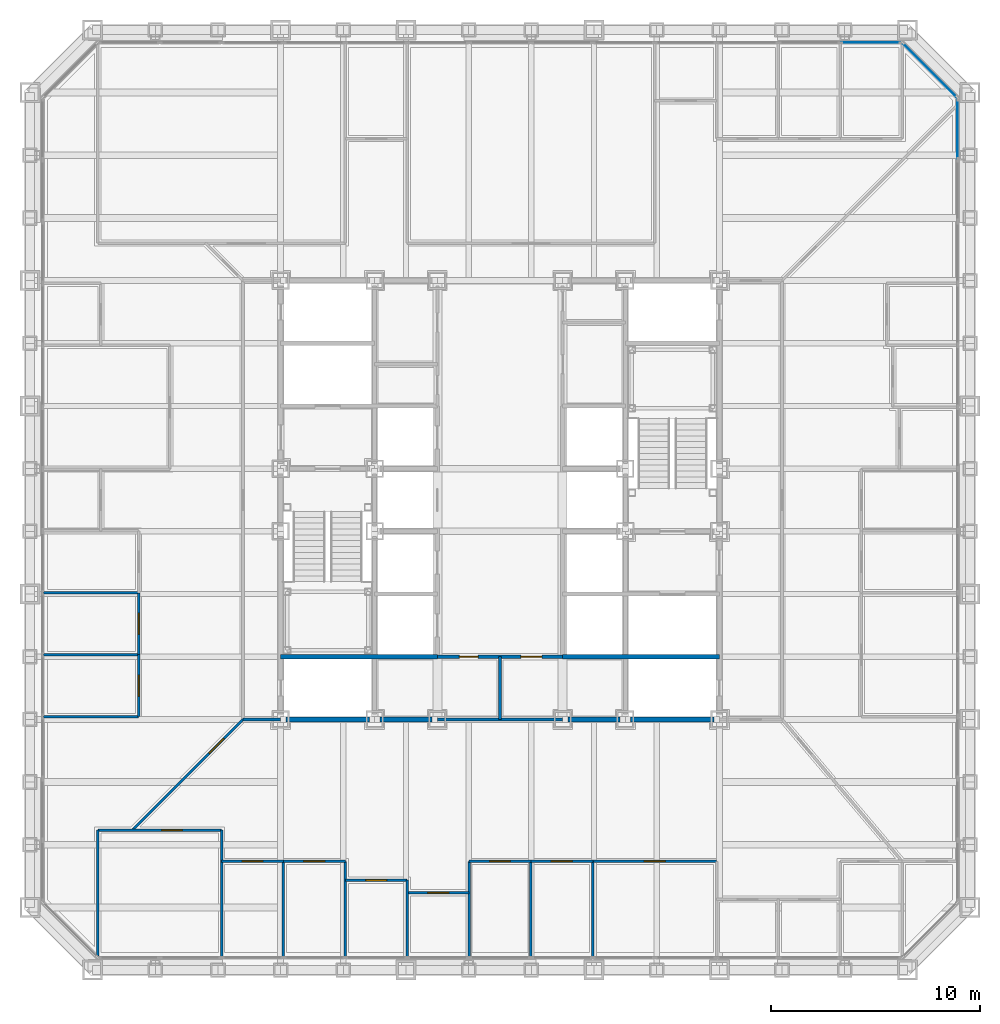
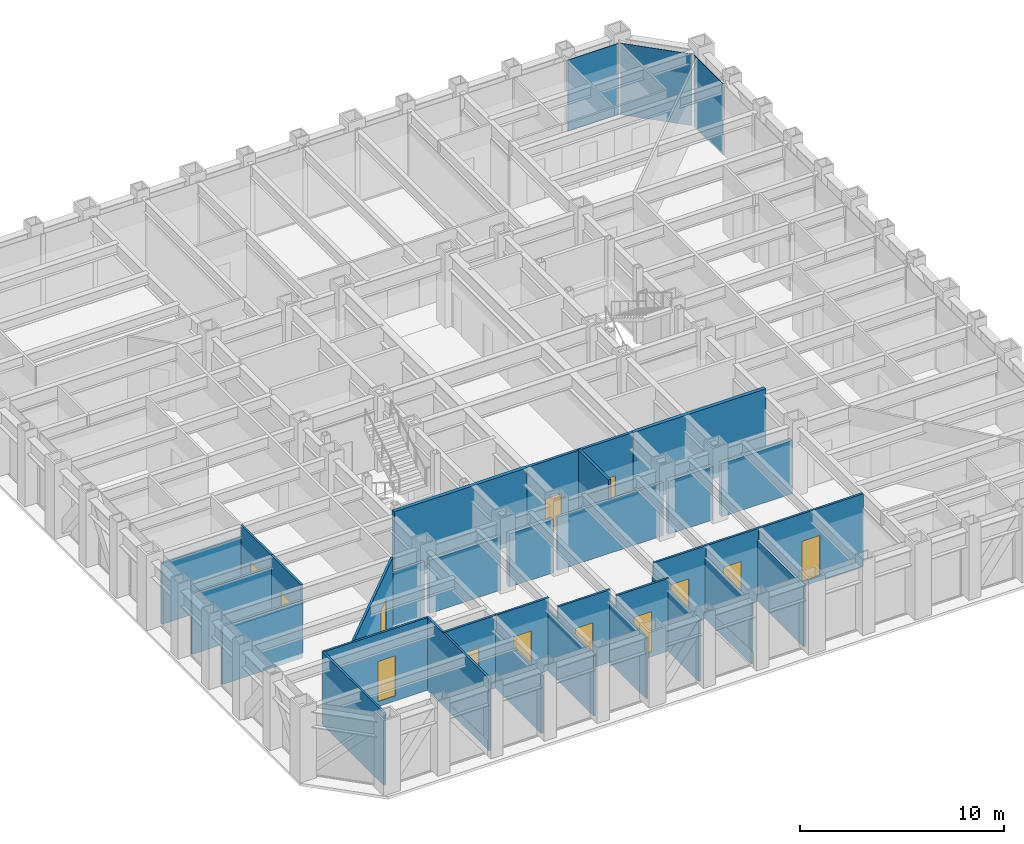
# One storey, part 8 of 16: 32 walls, 13 doors, 3 plates, 13 openings, 3 elements without a shape of their own.
"""IFC4 building model written with IfcOpenShell, lengths in metres."""

from ifc_helpers import new_model, si_unit, direction, frame, frame_2d, origin, origin_2d, place, context, subcontext, project, spatial, rectangle, extrude, material, layer, layer_set, type_object, element, fill, aggregate, save


model = new_model("IFC4")

# Units and contexts
model_context = context("Model", 3, precision=1e-05, world=origin(), true_north=direction((0.0, 1.0)))
body_context = subcontext(model_context, "Body", "Model", "MODEL_VIEW")
ifc_project = project(units=[si_unit("LENGTHUNIT", "METRE"), si_unit("AREAUNIT", "SQUARE_METRE"), si_unit("VOLUMEUNIT", "CUBIC_METRE"), si_unit("PLANEANGLEUNIT", "RADIAN"), si_unit("MASSUNIT", "GRAM", prefix="KILO")], contexts=[model_context])

# Site, building, storey
site_placement = place(None, origin())
site = spatial("IfcSite", under=ifc_project, at=site_placement, CompositionType="ELEMENT")
building_placement = place(site_placement, origin())
building = spatial("IfcBuilding", under=site, at=building_placement, Name="Chuquiago Exchange Tower", CompositionType="ELEMENT")
storey_placement = place(building_placement, frame((0.0, 0.0, 28.800048828125)))
storey = spatial("IfcBuildingStorey", under=building, at=storey_placement, Name="L05", CompositionType="ELEMENT", Elevation=28.800048828125)

# Curtain wall, plate
ifc_material_1 = material(Name="Aluminium curtain wall system", Category="aluminium")
ifc_layer_1 = layer(ifc_material_1, 0.25)
ifc_layer_set_1 = layer_set([ifc_layer_1], Name="CW1 trading floor curtain wall")
curtain_wall_type_1 = type_object("IfcCurtainWallType", Name="CW1 trading floor curtain wall", PredefinedType="NOTDEFINED", material=ifc_layer_set_1)
curtain_wall_1_placement = place(storey_placement, origin())
curtain_wall_1 = element("IfcCurtainWall", 1, at=curtain_wall_1_placement, inside=storey, type_object=curtain_wall_type_1, Name="CW1 curtain wall L05", PredefinedType="NOTDEFINED")
ifc_material_2 = material(Name="Insulated spandrel panel, pale anodised aluminium", Category="aluminium")
ifc_layer_2 = layer(ifc_material_2, 0.031982421875)
ifc_layer_set_2 = layer_set([ifc_layer_2], Name="CW1-P spandrel panel 32")
plate_type_1 = type_object("IfcPlateType", Name="CW1-P spandrel panel 32", PredefinedType="CURTAIN_PANEL", material=ifc_layer_set_2)
plate_1_placement = place(storey_placement, frame((44.39990234375, 40.251953125, -0.22509765625), z_axis=(0.0, 0.0, 1.0), x_axis=(0.0, 1.0, 0.0)))
plate_1 = element("IfcPlate", 2, at=plate_1_placement, type_object=plate_type_1, Name="CW1 panel 13.1", PredefinedType="CURTAIN_PANEL", context=body_context, shape_type="SweptSolid", body=[
    extrude(rectangle(XDim=2.849365234375, YDim=0.031982421875, at=origin_2d()), origin(), (0.0, 0.0, 1.0), 4.264892578125),
])
aggregate(curtain_wall_1, [plate_1])

curtain_wall_2_placement = place(storey_placement, origin())
curtain_wall_2 = element("IfcCurtainWall", 3, at=curtain_wall_2_placement, inside=storey, type_object=curtain_wall_type_1, Name="CW1 curtain wall L05", PredefinedType="NOTDEFINED")
plate_2_placement = place(storey_placement, frame((40.251953125, 44.39990234375, -0.22509765625), z_axis=(0.0, 0.0, 1.0), x_axis=(-1.0, 0.0, 0.0)))
plate_2 = element("IfcPlate", 4, at=plate_2_placement, type_object=plate_type_1, Name="CW1 panel 1.1", PredefinedType="CURTAIN_PANEL", context=body_context, shape_type="SweptSolid", body=[
    extrude(rectangle(XDim=2.849365234375, YDim=0.031982421875, at=origin_2d()), origin(), (0.0, 0.0, 1.0), 4.264892578125),
])
aggregate(curtain_wall_2, [plate_2])

ifc_material_3 = material(Name="Aluminium curtain wall system", Category="aluminium")
ifc_layer_3 = layer(ifc_material_3, 0.199951171875)
ifc_layer_set_3 = layer_set([ifc_layer_3], Name="CW3 facet curtain wall")
curtain_wall_type_2 = type_object("IfcCurtainWallType", Name="CW3 facet curtain wall", PredefinedType="NOTDEFINED", material=ifc_layer_set_3)
curtain_wall_3_placement = place(storey_placement, origin())
curtain_wall_3 = element("IfcCurtainWall", 5, at=curtain_wall_3_placement, inside=storey, type_object=curtain_wall_type_2, Name="CW3 curtain wall L05", PredefinedType="NOTDEFINED")
ifc_material_4 = material(Name="Insulated spandrel panel, pale anodised aluminium", Category="aluminium")
ifc_layer_4 = layer(ifc_material_4, 0.030029296875)
ifc_layer_set_4 = layer_set([ifc_layer_4], Name="CW3-P spandrel panel 30")
plate_type_2 = type_object("IfcPlateType", Name="CW3-P spandrel panel 30", PredefinedType="CURTAIN_PANEL", material=ifc_layer_set_4)
plate_3_placement = place(storey_placement, frame((43.07568359375, 43.07568359375, -0.235107421875), z_axis=(0.0, 0.0, 1.0), x_axis=(-0.707106781187, 0.707106781187, 0.0)))
plate_3 = element("IfcPlate", 6, at=plate_3_placement, type_object=plate_type_2, Name="CW3 panel 1.1", PredefinedType="CURTAIN_PANEL", context=body_context, shape_type="SweptSolid", body=[
    extrude(rectangle(XDim=3.615478515625, YDim=0.030029296875, at=origin_2d()), origin(), (0.0, 0.0, 1.0), 4.27490234375),
])
aggregate(curtain_wall_3, [plate_3])

# Walls
ifc_material_5 = material(Name="Concrete masonry, fully grouted", Category="masonry")
ifc_layer_5 = layer(ifc_material_5, 0.25)
ifc_layer_set_5 = layer_set([ifc_layer_5], Name="W1 core wall 250")
wall_type_1 = type_object("IfcWallType", Name="W1 core wall 250", PredefinedType="SOLIDWALL", material=ifc_layer_set_5)
wall_1_placement = place(storey_placement, frame((12.25, 12.0, 0.0), z_axis=(0.0, 0.0, 1.0), x_axis=(1.0, 0.0, 0.0)))
element("IfcWall", 7, at=wall_1_placement, inside=storey, type_object=wall_type_1, Name="CW-L05-01-0", PredefinedType="SOLIDWALL", context=body_context, shape_type="SweptSolid", body=[
    extrude(rectangle(XDim=4.0, YDim=0.25, at=frame_2d((2.0, 0.0))), origin(), (0.0, 0.0, 1.0), 3.181396484375),
])
for number, where, z_axis, x_axis, name in (
    (8, (16.75, 12.0, 0.0), (0.0, 0.0, 1.0), (1.0, 0.0, 0.0), "CW-L05-01-1"),
    (9, (25.75, 12.0, 0.0), (0.0, 0.0, 1.0), (1.0, 0.0, 0.0), "CW-L05-02-0"),
):
    element("IfcWall", number, at=place(storey_placement, frame(where, z_axis=z_axis, x_axis=x_axis)), inside=storey, type_object=wall_type_1, Name=name, PredefinedType="SOLIDWALL", context=body_context, shape_type="SweptSolid", body=[
        extrude(rectangle(XDim=2.5, YDim=0.25, at=frame_2d((1.25, 0.0))), origin(), (0.0, 0.0, 1.0), 3.181396484375),
    ])
wall_2_placement = place(storey_placement, frame((28.75, 12.0, 0.0), z_axis=(0.0, 0.0, 1.0), x_axis=(1.0, 0.0, 0.0)))
element("IfcWall", 10, at=wall_2_placement, inside=storey, type_object=wall_type_1, Name="CW-L05-02-1", PredefinedType="SOLIDWALL", context=body_context, shape_type="SweptSolid", body=[
    extrude(rectangle(XDim=4.0, YDim=0.25, at=frame_2d((2.0, 0.0))), origin(), (0.0, 0.0, 1.0), 3.181396484375),
])
ifc_material_6 = material(Name="Gypsum board on steel studs, acoustic insulation", Category="steel")
ifc_layer_6 = layer(ifc_material_6, 0.14990234375)
ifc_layer_set_6 = layer_set([ifc_layer_6], Name="W11 corridor wall 150")
wall_type_2 = type_object("IfcWallType", Name="W11 corridor wall 150", PredefinedType="PARTITIONING", material=ifc_layer_set_6)
wall_3_placement = place(storey_placement, frame((10.199951171875, 12.0, -0.300048828125), z_axis=(0.0, 0.0, 1.0), x_axis=(1.0, 0.0, 0.0)))
element("IfcWall", 11, at=wall_3_placement, inside=storey, type_object=wall_type_2, Name="PW-L05-GWS0", PredefinedType="PARTITIONING", context=body_context, shape_type="SweptSolid", body=[
    extrude(rectangle(XDim=1.800048828125, YDim=0.14990234375, at=frame_2d((0.89990234375, 0.0))), origin(), (0.0, 0.0, 1.0), 3.4814453125),
])
ifc_material_7 = material(Name="Concrete masonry, fully grouted", Category="masonry")
ifc_layer_7 = layer(ifc_material_7, 0.199951171875)
ifc_layer_set_7 = layer_set([ifc_layer_7], Name="W2 shaft wall 200")
wall_type_3 = type_object("IfcWallType", Name="W2 shaft wall 200", PredefinedType="SOLIDWALL", material=ifc_layer_set_7)
for number, where, z_axis, x_axis, name in (
    (12, (12.0, 15.0, 0.0), (0.0, 0.0, 1.0), (1.0, 0.0, 0.0), "CW-L05-03-0"),
    (13, (25.5, 15.0, 0.0), (0.0, 0.0, 1.0), (1.0, 0.0, 0.0), "CW-L05-04-0"),
):
    element("IfcWall", number, at=place(storey_placement, frame(where, z_axis=z_axis, x_axis=x_axis)), inside=storey, type_object=wall_type_3, Name=name, PredefinedType="SOLIDWALL", context=body_context, shape_type="SweptSolid", body=[
        extrude(rectangle(XDim=7.5, YDim=0.199951171875, at=frame_2d((3.75, 0.0))), origin(), (0.0, 0.0, 1.0), 4.33984375),
    ])

# Wall, openings, doors
ifc_material_8 = material(Name="Gypsum board on steel studs", Category="steel")
ifc_layer_8 = layer(ifc_material_8, 0.14990234375)
ifc_layer_set_8 = layer_set([ifc_layer_8], Name="W3 core partition 150")
wall_type_4 = type_object("IfcWallType", Name="W3 core partition 150", PredefinedType="PARTITIONING", material=ifc_layer_set_8)
wall_4_placement = place(storey_placement, frame((19.5, 15.0, 0.0), z_axis=(0.0, 0.0, 1.0), x_axis=(1.0, 0.0, 0.0)))
wall_4 = element("IfcWall", 14, at=wall_4_placement, inside=storey, type_object=wall_type_4, Name="CW-L05-TF", PredefinedType="PARTITIONING", context=body_context, shape_type="SweptSolid", body=[
    extrude(rectangle(XDim=6.0, YDim=0.14990234375, at=frame_2d((3.0, 0.0))), origin(), (0.0, 0.0, 1.0), 4.33984375),
])
opening_1_placement = place(wall_4_placement, frame((4.0, 0.0, 0.0)))
opening_1 = element("IfcOpeningElement", 15, at=opening_1_placement, cuts=wall_4, Name="Opening L05-015", PredefinedType="OPENING", context=body_context, shape_type="SweptSolid", body=[
    extrude(rectangle(XDim=1.0, YDim=2.10009765625, at=frame_2d((0.5, 1.050048828125))), frame((0.0, 0.0849609375, 0.0), z_axis=(0.0, -1.0, 0.0), x_axis=(1.0, 0.0, 0.0)), (0.0, 0.0, 1.0), 0.169921875),
])
opening_2_placement = place(wall_4_placement, frame((1.050048828125, 0.0, 0.0)))
opening_2 = element("IfcOpeningElement", 16, at=opening_2_placement, cuts=wall_4, Name="Opening L05-016", PredefinedType="OPENING", context=body_context, shape_type="SweptSolid", body=[
    extrude(rectangle(XDim=0.89990234375, YDim=2.10009765625, at=frame_2d((0.449951171875, 1.050048828125))), frame((0.0, 0.0849609375, 0.0), z_axis=(0.0, -1.0, 0.0), x_axis=(1.0, 0.0, 0.0)), (0.0, 0.0, 1.0), 0.169921875),
])
ifc_material_9 = material(Name="Timber door, laminate faced", Category="wood")
door_type_1 = type_object("IfcDoorType", Name="D7 toilet door 900x2100", OperationType="SINGLE_SWING_LEFT", PredefinedType="DOOR", material=ifc_material_9)
door_1_placement = place(opening_2_placement, origin())
door_1 = element("IfcDoor", 17, at=door_1_placement, inside=storey, type_object=door_type_1, Name="Cleaner door", OperationType="SINGLE_SWING_LEFT", OverallHeight=2.10009765625, OverallWidth=0.89990234375, PredefinedType="DOOR", context=body_context, shape_type="SweptSolid", body=[
    extrude(rectangle(XDim=0.89990234375, YDim=2.10009765625, at=frame_2d((0.449951171875, 1.050048828125))), frame((0.0, 0.02490234375, 0.0), z_axis=(0.0, -1.0, 0.0), x_axis=(1.0, 0.0, 0.0)), (0.0, 0.0, 1.0), 0.050048828125),
])
fill(opening_2, door_1)
ifc_material_10 = material(Name="Timber door, laminate faced", Category="wood")
door_type_2 = type_object("IfcDoorType", Name="D8 accessible toilet door 1000x2100", OperationType="SLIDING_TO_LEFT", PredefinedType="DOOR", material=ifc_material_10)
door_2_placement = place(opening_1_placement, origin())
door_2 = element("IfcDoor", 18, at=door_2_placement, inside=storey, type_object=door_type_2, Name="Accessible WC door", OperationType="SLIDING_TO_LEFT", OverallHeight=2.10009765625, OverallWidth=1.0, PredefinedType="DOOR", context=body_context, shape_type="SweptSolid", body=[
    extrude(rectangle(XDim=1.0, YDim=2.10009765625, at=frame_2d((0.5, 1.050048828125))), frame((0.0, 0.02490234375, 0.0), z_axis=(0.0, -1.0, 0.0), x_axis=(1.0, 0.0, 0.0)), (0.0, 0.0, 1.0), 0.050048828125),
])
fill(opening_1, door_2)

# Walls
wall_5_placement = place(storey_placement, frame((22.5, 15.0, 0.0), z_axis=(0.0, 0.0, 1.0), x_axis=(0.0, -1.0, 0.0)))
element("IfcWall", 19, at=wall_5_placement, inside=storey, type_object=wall_type_4, Name="CW-L05-TM", PredefinedType="PARTITIONING", context=body_context, shape_type="SweptSolid", body=[
    extrude(rectangle(XDim=3.0, YDim=0.14990234375, at=frame_2d((1.5, 0.0))), origin(), (0.0, 0.0, 1.0), 4.33984375),
])
wall_6_placement = place(storey_placement, frame((19.5, 12.0, 0.0), z_axis=(0.0, 0.0, 1.0), x_axis=(1.0, 0.0, 0.0)))
element("IfcWall", 20, at=wall_6_placement, inside=storey, type_object=wall_type_4, Name="CW-L05-TB", PredefinedType="PARTITIONING", context=body_context, shape_type="SweptSolid", body=[
    extrude(rectangle(XDim=6.0, YDim=0.14990234375, at=frame_2d((3.0, 0.0))), origin(), (0.0, 0.0, 1.0), 3.181396484375),
])
ifc_material_11 = material(Name="Gypsum board on steel studs", Category="steel")
ifc_layer_9 = layer(ifc_material_11, 0.1201171875)
ifc_layer_set_9 = layer_set([ifc_layer_9], Name="W4 partition 120")
wall_type_5 = type_object("IfcWallType", Name="W4 partition 120", PredefinedType="PARTITIONING", material=ifc_layer_set_9)
wall_7_placement = place(storey_placement, frame((3.24853515625, 0.666015625, -0.300048828125), z_axis=(0.0, 0.0, 1.0), x_axis=(0.0, 1.0, 0.0)))
element("IfcWall", 21, at=wall_7_placement, inside=storey, type_object=wall_type_5, Name="PW-L05-S00325", PredefinedType="PARTITIONING", context=body_context, shape_type="SweptSolid", body=[
    extrude(rectangle(XDim=6.033935546875, YDim=0.1201171875, at=frame_2d((3.01708984375, 0.0))), origin(), (0.0, 0.0, 1.0), 4.340087890625),
])
wall_8_placement = place(storey_placement, frame((9.172119140625, 0.657470703125, -0.300048828125), z_axis=(0.0, 0.0, 1.0), x_axis=(0.0, 1.0, 0.0)))
element("IfcWall", 22, at=wall_8_placement, inside=storey, type_object=wall_type_5, Name="PW-L05-S00917", PredefinedType="PARTITIONING", context=body_context, shape_type="SweptSolid", body=[
    extrude(rectangle(XDim=6.04248046875, YDim=0.1201171875, at=frame_2d((3.021240234375, 0.0))), origin(), (0.0, 0.0, 1.0), 4.340087890625),
])
wall_9_placement = place(storey_placement, frame((12.1337890625, 0.657470703125, -0.300048828125), z_axis=(0.0, 0.0, 1.0), x_axis=(0.0, 1.0, 0.0)))
element("IfcWall", 23, at=wall_9_placement, inside=storey, type_object=wall_type_5, Name="PW-L05-S01213", PredefinedType="PARTITIONING", context=body_context, shape_type="SweptSolid", body=[
    extrude(rectangle(XDim=4.54248046875, YDim=0.1201171875, at=frame_2d((2.271240234375, 0.0))), origin(), (0.0, 0.0, 1.0), 3.4814453125),
])
wall_10_placement = place(storey_placement, frame((15.095703125, 0.657470703125, -0.300048828125), z_axis=(0.0, 0.0, 1.0), x_axis=(0.0, 1.0, 0.0)))
element("IfcWall", 24, at=wall_10_placement, inside=storey, type_object=wall_type_5, Name="PW-L05-S01510", PredefinedType="PARTITIONING", context=body_context, shape_type="SweptSolid", body=[
    extrude(rectangle(XDim=4.54248046875, YDim=0.1201171875, at=frame_2d((2.271240234375, 0.0))), origin(), (0.0, 0.0, 1.0), 3.646484375),
])
wall_11_placement = place(storey_placement, frame((18.057373046875, 0.657470703125, -0.300048828125), z_axis=(0.0, 0.0, 1.0), x_axis=(0.0, 1.0, 0.0)))
element("IfcWall", 25, at=wall_11_placement, inside=storey, type_object=wall_type_5, Name="PW-L05-S01806", PredefinedType="PARTITIONING", context=body_context, shape_type="SweptSolid", body=[
    extrude(rectangle(XDim=3.642578125, YDim=0.1201171875, at=frame_2d((1.8212890625, 0.0))), origin(), (0.0, 0.0, 1.0), 3.646484375),
])
for number, where, z_axis, x_axis, name in (
    (26, (21.01904296875, 0.657470703125, -0.300048828125), (0.0, 0.0, 1.0), (0.0, 1.0, 0.0), "PW-L05-S02102"),
    (27, (23.98095703125, 0.657470703125, -0.300048828125), (0.0, 0.0, 1.0), (0.0, 1.0, 0.0), "PW-L05-S02398"),
    (28, (26.942626953125, 0.657470703125, -0.300048828125), (0.0, 0.0, 1.0), (0.0, 1.0, 0.0), "PW-L05-S02694"),
):
    element("IfcWall", number, at=place(storey_placement, frame(where, z_axis=z_axis, x_axis=x_axis)), inside=storey, type_object=wall_type_5, Name=name, PredefinedType="PARTITIONING", context=body_context, shape_type="SweptSolid", body=[
        extrude(rectangle(XDim=4.54248046875, YDim=0.1201171875, at=frame_2d((2.271240234375, 0.0))), origin(), (0.0, 0.0, 1.0), 3.646484375),
    ])

# Wall, opening, door
wall_12_placement = place(storey_placement, frame((3.24853515625, 6.699951171875, -0.300048828125), z_axis=(0.0, 0.0, 1.0), x_axis=(1.0, 0.0, 0.0)))
wall_12 = element("IfcWall", 29, at=wall_12_placement, inside=storey, type_object=wall_type_5, Name="PW-L05-SF00325", PredefinedType="PARTITIONING", context=body_context, shape_type="SweptSolid", body=[
    extrude(rectangle(XDim=5.923583984375, YDim=0.1201171875, at=frame_2d((2.9619140625, 0.0))), origin(), (0.0, 0.0, 1.0), 4.340087890625),
])
opening_3_placement = place(wall_12_placement, frame((3.05419921875, 0.0, 0.300048828125)))
opening_3 = element("IfcOpeningElement", 30, at=opening_3_placement, cuts=wall_12, Name="Opening L05-021", PredefinedType="OPENING", context=body_context, shape_type="SweptSolid", body=[
    extrude(rectangle(XDim=1.0, YDim=2.39990234375, at=frame_2d((0.5, 1.199951171875))), frame((0.0, 0.070068359375, 0.0), z_axis=(0.0, -1.0, 0.0), x_axis=(1.0, 0.0, 0.0)), (0.0, 0.0, 1.0), 0.14013671875),
])
ifc_material_12 = material(Name="Timber door, laminate faced", Category="wood")
door_type_3 = type_object("IfcDoorType", Name="D9 room door 1000x2400", OperationType="SINGLE_SWING_LEFT", PredefinedType="DOOR", material=ifc_material_12)
door_3_placement = place(opening_3_placement, frame((1.0, 0.0, 0.0), z_axis=(0.0, 0.0, 1.0), x_axis=(-1.0, 0.0, 0.0)))
door_3 = element("IfcDoor", 31, at=door_3_placement, inside=storey, type_object=door_type_3, Name="Market data room door", OperationType="SINGLE_SWING_LEFT", OverallHeight=2.39990234375, OverallWidth=1.0, PredefinedType="DOOR", context=body_context, shape_type="SweptSolid", body=[
    extrude(rectangle(XDim=1.0, YDim=2.39990234375, at=frame_2d((0.5, 1.199951171875))), frame((0.0, 0.02490234375, 0.0), z_axis=(0.0, -1.0, 0.0), x_axis=(1.0, 0.0, 0.0)), (0.0, 0.0, 1.0), 0.050048828125),
])
fill(opening_3, door_3)

wall_13_placement = place(storey_placement, frame((9.172119140625, 5.199951171875, -0.300048828125), z_axis=(0.0, 0.0, 1.0), x_axis=(1.0, 0.0, 0.0)))
wall_13 = element("IfcWall", 32, at=wall_13_placement, inside=storey, type_object=wall_type_5, Name="PW-L05-SF00917", PredefinedType="PARTITIONING", context=body_context, shape_type="SweptSolid", body=[
    extrude(rectangle(XDim=2.961669921875, YDim=0.1201171875, at=frame_2d((1.48095703125, 0.0))), origin(), (0.0, 0.0, 1.0), 4.340087890625),
])
opening_4_placement = place(wall_13_placement, frame((0.98095703125, 0.0, 0.300048828125)))
opening_4 = element("IfcOpeningElement", 33, at=opening_4_placement, cuts=wall_13, Name="Opening L05-022", PredefinedType="OPENING", context=body_context, shape_type="SweptSolid", body=[
    extrude(rectangle(XDim=1.0, YDim=2.39990234375, at=frame_2d((0.5, 1.199951171875))), frame((0.0, 0.070068359375, 0.0), z_axis=(0.0, -1.0, 0.0), x_axis=(1.0, 0.0, 0.0)), (0.0, 0.0, 1.0), 0.14013671875),
])
door_4_placement = place(opening_4_placement, frame((1.0, 0.0, 0.0), z_axis=(0.0, 0.0, 1.0), x_axis=(-1.0, 0.0, 0.0)))
door_4 = element("IfcDoor", 34, at=door_4_placement, inside=storey, type_object=door_type_3, Name="Trading support room door", OperationType="SINGLE_SWING_LEFT", OverallHeight=2.39990234375, OverallWidth=1.0, PredefinedType="DOOR", context=body_context, shape_type="SweptSolid", body=[
    extrude(rectangle(XDim=1.0, YDim=2.39990234375, at=frame_2d((0.5, 1.199951171875))), frame((0.0, 0.02490234375, 0.0), z_axis=(0.0, -1.0, 0.0), x_axis=(1.0, 0.0, 0.0)), (0.0, 0.0, 1.0), 0.050048828125),
])
fill(opening_4, door_4)

wall_14_placement = place(storey_placement, frame((12.1337890625, 5.199951171875, -0.300048828125), z_axis=(0.0, 0.0, 1.0), x_axis=(1.0, 0.0, 0.0)))
wall_14 = element("IfcWall", 35, at=wall_14_placement, inside=storey, type_object=wall_type_5, Name="PW-L05-SF01213", PredefinedType="PARTITIONING", context=body_context, shape_type="SweptSolid", body=[
    extrude(rectangle(XDim=2.9619140625, YDim=0.1201171875, at=frame_2d((1.48095703125, 0.0))), origin(), (0.0, 0.0, 1.0), 4.340087890625),
])
opening_5_placement = place(wall_14_placement, frame((0.98095703125, 0.0, 0.300048828125)))
opening_5 = element("IfcOpeningElement", 36, at=opening_5_placement, cuts=wall_14, Name="Opening L05-023", PredefinedType="OPENING", context=body_context, shape_type="SweptSolid", body=[
    extrude(rectangle(XDim=1.0, YDim=2.39990234375, at=frame_2d((0.5, 1.199951171875))), frame((0.0, 0.070068359375, 0.0), z_axis=(0.0, -1.0, 0.0), x_axis=(1.0, 0.0, 0.0)), (0.0, 0.0, 1.0), 0.14013671875),
])
door_5_placement = place(opening_5_placement, frame((1.0, 0.0, 0.0), z_axis=(0.0, 0.0, 1.0), x_axis=(-1.0, 0.0, 0.0)))
door_5 = element("IfcDoor", 37, at=door_5_placement, inside=storey, type_object=door_type_3, Name="Trading support room door", OperationType="SINGLE_SWING_LEFT", OverallHeight=2.39990234375, OverallWidth=1.0, PredefinedType="DOOR", context=body_context, shape_type="SweptSolid", body=[
    extrude(rectangle(XDim=1.0, YDim=2.39990234375, at=frame_2d((0.5, 1.199951171875))), frame((0.0, 0.02490234375, 0.0), z_axis=(0.0, -1.0, 0.0), x_axis=(1.0, 0.0, 0.0)), (0.0, 0.0, 1.0), 0.050048828125),
])
fill(opening_5, door_5)

wall_15_placement = place(storey_placement, frame((15.095703125, 4.300048828125, -0.300048828125), z_axis=(0.0, 0.0, 1.0), x_axis=(1.0, 0.0, 0.0)))
wall_15 = element("IfcWall", 38, at=wall_15_placement, inside=storey, type_object=wall_type_5, Name="PW-L05-SF01510", PredefinedType="PARTITIONING", context=body_context, shape_type="SweptSolid", body=[
    extrude(rectangle(XDim=2.961669921875, YDim=0.1201171875, at=frame_2d((1.48095703125, 0.0))), origin(), (0.0, 0.0, 1.0), 4.340087890625),
])
opening_6_placement = place(wall_15_placement, frame((0.98095703125, 0.0, 0.300048828125)))
opening_6 = element("IfcOpeningElement", 39, at=opening_6_placement, cuts=wall_15, Name="Opening L05-024", PredefinedType="OPENING", context=body_context, shape_type="SweptSolid", body=[
    extrude(rectangle(XDim=1.0, YDim=2.39990234375, at=frame_2d((0.5, 1.199951171875))), frame((0.0, 0.070068359375, 0.0), z_axis=(0.0, -1.0, 0.0), x_axis=(1.0, 0.0, 0.0)), (0.0, 0.0, 1.0), 0.14013671875),
])
door_6_placement = place(opening_6_placement, frame((1.0, 0.0, 0.0), z_axis=(0.0, 0.0, 1.0), x_axis=(-1.0, 0.0, 0.0)))
door_6 = element("IfcDoor", 40, at=door_6_placement, inside=storey, type_object=door_type_3, Name="Comms room door", OperationType="SINGLE_SWING_RIGHT", OverallHeight=2.39990234375, OverallWidth=1.0, PredefinedType="DOOR", context=body_context, shape_type="SweptSolid", body=[
    extrude(rectangle(XDim=1.0, YDim=2.39990234375, at=frame_2d((0.5, 1.199951171875))), frame((0.0, 0.02490234375, 0.0), z_axis=(0.0, -1.0, 0.0), x_axis=(1.0, 0.0, 0.0)), (0.0, 0.0, 1.0), 0.050048828125),
])
fill(opening_6, door_6)

wall_16_placement = place(storey_placement, frame((18.057373046875, 3.699951171875, -0.300048828125), z_axis=(0.0, 0.0, 1.0), x_axis=(1.0, 0.0, 0.0)))
wall_16 = element("IfcWall", 41, at=wall_16_placement, inside=storey, type_object=wall_type_5, Name="PW-L05-SF01806", PredefinedType="PARTITIONING", context=body_context, shape_type="SweptSolid", body=[
    extrude(rectangle(XDim=2.961669921875, YDim=0.1201171875, at=frame_2d((1.48095703125, 0.0))), origin(), (0.0, 0.0, 1.0), 4.340087890625),
])
opening_7_placement = place(wall_16_placement, frame((0.98095703125, 0.0, 0.300048828125)))
opening_7 = element("IfcOpeningElement", 42, at=opening_7_placement, cuts=wall_16, Name="Opening L05-025", PredefinedType="OPENING", context=body_context, shape_type="SweptSolid", body=[
    extrude(rectangle(XDim=1.0, YDim=2.39990234375, at=frame_2d((0.5, 1.199951171875))), frame((0.0, 0.070068359375, 0.0), z_axis=(0.0, -1.0, 0.0), x_axis=(1.0, 0.0, 0.0)), (0.0, 0.0, 1.0), 0.14013671875),
])
door_7_placement = place(opening_7_placement, frame((1.0, 0.0, 0.0), z_axis=(0.0, 0.0, 1.0), x_axis=(-1.0, 0.0, 0.0)))
door_7 = element("IfcDoor", 43, at=door_7_placement, inside=storey, type_object=door_type_3, Name="Store door", OperationType="SINGLE_SWING_LEFT", OverallHeight=2.39990234375, OverallWidth=1.0, PredefinedType="DOOR", context=body_context, shape_type="SweptSolid", body=[
    extrude(rectangle(XDim=1.0, YDim=2.39990234375, at=frame_2d((0.5, 1.199951171875))), frame((0.0, 0.02490234375, 0.0), z_axis=(0.0, -1.0, 0.0), x_axis=(1.0, 0.0, 0.0)), (0.0, 0.0, 1.0), 0.050048828125),
])
fill(opening_7, door_7)

wall_17_placement = place(storey_placement, frame((21.01904296875, 5.199951171875, -0.300048828125), z_axis=(0.0, 0.0, 1.0), x_axis=(1.0, 0.0, 0.0)))
wall_17 = element("IfcWall", 44, at=wall_17_placement, inside=storey, type_object=wall_type_5, Name="PW-L05-SF02102", PredefinedType="PARTITIONING", context=body_context, shape_type="SweptSolid", body=[
    extrude(rectangle(XDim=2.9619140625, YDim=0.1201171875, at=frame_2d((1.48095703125, 0.0))), origin(), (0.0, 0.0, 1.0), 4.340087890625),
])
opening_8_placement = place(wall_17_placement, frame((0.98095703125, 0.0, 0.300048828125)))
opening_8 = element("IfcOpeningElement", 45, at=opening_8_placement, cuts=wall_17, Name="Opening L05-026", PredefinedType="OPENING", context=body_context, shape_type="SweptSolid", body=[
    extrude(rectangle(XDim=1.0, YDim=2.39990234375, at=frame_2d((0.5, 1.199951171875))), frame((0.0, 0.070068359375, 0.0), z_axis=(0.0, -1.0, 0.0), x_axis=(1.0, 0.0, 0.0)), (0.0, 0.0, 1.0), 0.14013671875),
])
door_8_placement = place(opening_8_placement, frame((1.0, 0.0, 0.0), z_axis=(0.0, 0.0, 1.0), x_axis=(-1.0, 0.0, 0.0)))
door_8 = element("IfcDoor", 46, at=door_8_placement, inside=storey, type_object=door_type_3, Name="Office door", OperationType="SINGLE_SWING_LEFT", OverallHeight=2.39990234375, OverallWidth=1.0, PredefinedType="DOOR", context=body_context, shape_type="SweptSolid", body=[
    extrude(rectangle(XDim=1.0, YDim=2.39990234375, at=frame_2d((0.5, 1.199951171875))), frame((0.0, 0.02490234375, 0.0), z_axis=(0.0, -1.0, 0.0), x_axis=(1.0, 0.0, 0.0)), (0.0, 0.0, 1.0), 0.050048828125),
])
fill(opening_8, door_8)

wall_18_placement = place(storey_placement, frame((23.98095703125, 5.199951171875, -0.300048828125), z_axis=(0.0, 0.0, 1.0), x_axis=(1.0, 0.0, 0.0)))
wall_18 = element("IfcWall", 47, at=wall_18_placement, inside=storey, type_object=wall_type_5, Name="PW-L05-SF02398", PredefinedType="PARTITIONING", context=body_context, shape_type="SweptSolid", body=[
    extrude(rectangle(XDim=2.961669921875, YDim=0.1201171875, at=frame_2d((1.48095703125, 0.0))), origin(), (0.0, 0.0, 1.0), 4.340087890625),
])
opening_9_placement = place(wall_18_placement, frame((0.98095703125, 0.0, 0.300048828125)))
opening_9 = element("IfcOpeningElement", 48, at=opening_9_placement, cuts=wall_18, Name="Opening L05-027", PredefinedType="OPENING", context=body_context, shape_type="SweptSolid", body=[
    extrude(rectangle(XDim=1.0, YDim=2.39990234375, at=frame_2d((0.5, 1.199951171875))), frame((0.0, 0.070068359375, 0.0), z_axis=(0.0, -1.0, 0.0), x_axis=(1.0, 0.0, 0.0)), (0.0, 0.0, 1.0), 0.14013671875),
])
door_9_placement = place(opening_9_placement, frame((1.0, 0.0, 0.0), z_axis=(0.0, 0.0, 1.0), x_axis=(-1.0, 0.0, 0.0)))
door_9 = element("IfcDoor", 49, at=door_9_placement, inside=storey, type_object=door_type_3, Name="Office door", OperationType="SINGLE_SWING_LEFT", OverallHeight=2.39990234375, OverallWidth=1.0, PredefinedType="DOOR", context=body_context, shape_type="SweptSolid", body=[
    extrude(rectangle(XDim=1.0, YDim=2.39990234375, at=frame_2d((0.5, 1.199951171875))), frame((0.0, 0.02490234375, 0.0), z_axis=(0.0, -1.0, 0.0), x_axis=(1.0, 0.0, 0.0)), (0.0, 0.0, 1.0), 0.050048828125),
])
fill(opening_9, door_9)

wall_19_placement = place(storey_placement, frame((26.942626953125, 5.199951171875, -0.300048828125), z_axis=(0.0, 0.0, 1.0), x_axis=(1.0, 0.0, 0.0)))
wall_19 = element("IfcWall", 50, at=wall_19_placement, inside=storey, type_object=wall_type_5, Name="PW-L05-SF02694", PredefinedType="PARTITIONING", context=body_context, shape_type="SweptSolid", body=[
    extrude(rectangle(XDim=5.923583984375, YDim=0.1201171875, at=frame_2d((2.9619140625, 0.0))), origin(), (0.0, 0.0, 1.0), 4.340087890625),
])
opening_10_placement = place(wall_19_placement, frame((2.4619140625, 0.0, 0.300048828125)))
opening_10 = element("IfcOpeningElement", 51, at=opening_10_placement, cuts=wall_19, Name="Opening L05-028", PredefinedType="OPENING", context=body_context, shape_type="SweptSolid", body=[
    extrude(rectangle(XDim=1.0, YDim=2.39990234375, at=frame_2d((0.5, 1.199951171875))), frame((0.0, 0.070068359375, 0.0), z_axis=(0.0, -1.0, 0.0), x_axis=(1.0, 0.0, 0.0)), (0.0, 0.0, 1.0), 0.14013671875),
])
ifc_material_13 = material(Name="Timber frame door, full height glazed panel", Category="wood")
door_type_4 = type_object("IfcDoorType", Name="D14 glazed meeting room door 1000x2400", OperationType="SINGLE_SWING_LEFT", PredefinedType="DOOR", material=ifc_material_13)
door_10_placement = place(opening_10_placement, frame((1.0, 0.0, 0.0), z_axis=(0.0, 0.0, 1.0), x_axis=(-1.0, 0.0, 0.0)))
door_10 = element("IfcDoor", 52, at=door_10_placement, inside=storey, type_object=door_type_4, Name="Meeting room door", OperationType="SINGLE_SWING_RIGHT", OverallHeight=2.39990234375, OverallWidth=1.0, PredefinedType="DOOR", context=body_context, shape_type="SweptSolid", body=[
    extrude(rectangle(XDim=1.0, YDim=2.39990234375, at=frame_2d((0.5, 1.199951171875))), frame((0.0, 0.02490234375, 0.0), z_axis=(0.0, -1.0, 0.0), x_axis=(1.0, 0.0, 0.0)), (0.0, 0.0, 1.0), 0.050048828125),
])
fill(opening_10, door_10)

# Walls
wall_20_placement = place(storey_placement, frame((0.657470703125, 12.1337890625, -0.300048828125), z_axis=(0.0, 0.0, 1.0), x_axis=(1.0, 0.0, 0.0)))
element("IfcWall", 53, at=wall_20_placement, inside=storey, type_object=wall_type_5, Name="PW-L05-W01213", PredefinedType="PARTITIONING", context=body_context, shape_type="SweptSolid", body=[
    extrude(rectangle(XDim=4.54248046875, YDim=0.1201171875, at=frame_2d((2.271240234375, 0.0))), origin(), (0.0, 0.0, 1.0), 3.4814453125),
])
for number, where, z_axis, x_axis, name in (
    (54, (0.657470703125, 15.095703125, -0.300048828125), (0.0, 0.0, 1.0), (1.0, 0.0, 0.0), "PW-L05-W01510"),
    (55, (0.657470703125, 18.057373046875, -0.300048828125), (0.0, 0.0, 1.0), (1.0, 0.0, 0.0), "PW-L05-W01806"),
):
    element("IfcWall", number, at=place(storey_placement, frame(where, z_axis=z_axis, x_axis=x_axis)), inside=storey, type_object=wall_type_5, Name=name, PredefinedType="PARTITIONING", context=body_context, shape_type="SweptSolid", body=[
        extrude(rectangle(XDim=4.54248046875, YDim=0.1201171875, at=frame_2d((2.271240234375, 0.0))), origin(), (0.0, 0.0, 1.0), 3.646484375),
    ])

# Wall, opening, door
wall_21_placement = place(storey_placement, frame((5.199951171875, 12.1337890625, -0.300048828125), z_axis=(0.0, 0.0, 1.0), x_axis=(0.0, 1.0, 0.0)))
wall_21 = element("IfcWall", 56, at=wall_21_placement, inside=storey, type_object=wall_type_5, Name="PW-L05-WF01213", PredefinedType="PARTITIONING", context=body_context, shape_type="SweptSolid", body=[
    extrude(rectangle(XDim=2.9619140625, YDim=0.1201171875, at=frame_2d((1.48095703125, 0.0))), origin(), (0.0, 0.0, 1.0), 4.340087890625),
])
opening_11_placement = place(wall_21_placement, frame((0.98095703125, 0.0, 0.300048828125)))
opening_11 = element("IfcOpeningElement", 57, at=opening_11_placement, cuts=wall_21, Name="Opening L05-046", PredefinedType="OPENING", context=body_context, shape_type="SweptSolid", body=[
    extrude(rectangle(XDim=1.0, YDim=2.39990234375, at=frame_2d((0.5, 1.199951171875))), frame((0.0, 0.070068359375, 0.0), z_axis=(0.0, -1.0, 0.0), x_axis=(1.0, 0.0, 0.0)), (0.0, 0.0, 1.0), 0.14013671875),
])
door_11_placement = place(opening_11_placement, origin())
door_11 = element("IfcDoor", 58, at=door_11_placement, inside=storey, type_object=door_type_3, Name="Office door", OperationType="SINGLE_SWING_RIGHT", OverallHeight=2.39990234375, OverallWidth=1.0, PredefinedType="DOOR", context=body_context, shape_type="SweptSolid", body=[
    extrude(rectangle(XDim=1.0, YDim=2.39990234375, at=frame_2d((0.5, 1.199951171875))), frame((0.0, 0.02490234375, 0.0), z_axis=(0.0, -1.0, 0.0), x_axis=(1.0, 0.0, 0.0)), (0.0, 0.0, 1.0), 0.050048828125),
])
fill(opening_11, door_11)

wall_22_placement = place(storey_placement, frame((5.199951171875, 15.095703125, -0.300048828125), z_axis=(0.0, 0.0, 1.0), x_axis=(0.0, 1.0, 0.0)))
wall_22 = element("IfcWall", 59, at=wall_22_placement, inside=storey, type_object=wall_type_5, Name="PW-L05-WF01510", PredefinedType="PARTITIONING", context=body_context, shape_type="SweptSolid", body=[
    extrude(rectangle(XDim=2.961669921875, YDim=0.1201171875, at=frame_2d((1.48095703125, 0.0))), origin(), (0.0, 0.0, 1.0), 4.340087890625),
])
opening_12_placement = place(wall_22_placement, frame((0.98095703125, 0.0, 0.300048828125)))
opening_12 = element("IfcOpeningElement", 60, at=opening_12_placement, cuts=wall_22, Name="Opening L05-047", PredefinedType="OPENING", context=body_context, shape_type="SweptSolid", body=[
    extrude(rectangle(XDim=1.0, YDim=2.39990234375, at=frame_2d((0.5, 1.199951171875))), frame((0.0, 0.070068359375, 0.0), z_axis=(0.0, -1.0, 0.0), x_axis=(1.0, 0.0, 0.0)), (0.0, 0.0, 1.0), 0.14013671875),
])
door_12_placement = place(opening_12_placement, origin())
door_12 = element("IfcDoor", 61, at=door_12_placement, inside=storey, type_object=door_type_3, Name="Office door", OperationType="SINGLE_SWING_LEFT", OverallHeight=2.39990234375, OverallWidth=1.0, PredefinedType="DOOR", context=body_context, shape_type="SweptSolid", body=[
    extrude(rectangle(XDim=1.0, YDim=2.39990234375, at=frame_2d((0.5, 1.199951171875))), frame((0.0, 0.02490234375, 0.0), z_axis=(0.0, -1.0, 0.0), x_axis=(1.0, 0.0, 0.0)), (0.0, 0.0, 1.0), 0.050048828125),
])
fill(opening_12, door_12)

wall_23_placement = place(storey_placement, frame((10.199951171875, 12.0, -0.300048828125), z_axis=(0.0, 0.0, 1.0), x_axis=(-0.707106781187, -0.707106781187, 0.0)))
wall_23 = element("IfcWall", 62, at=wall_23_placement, inside=storey, type_object=wall_type_5, Name="PW-L05-QSW", PredefinedType="PARTITIONING", context=body_context, shape_type="SweptSolid", body=[
    extrude(rectangle(XDim=7.496826171875, YDim=0.1201171875, at=frame_2d((3.74853515625, 0.0))), origin(), (0.0, 0.0, 1.0), 4.340087890625),
])
opening_13_placement = place(wall_23_placement, frame((1.300048828125, 0.0, 0.300048828125)))
opening_13 = element("IfcOpeningElement", 63, at=opening_13_placement, cuts=wall_23, Name="Opening L05-058", PredefinedType="OPENING", context=body_context, shape_type="SweptSolid", body=[
    extrude(rectangle(XDim=1.0, YDim=2.39990234375, at=frame_2d((0.5, 1.199951171875))), frame((0.0, 0.070068359375, 0.0), z_axis=(0.0, -1.0, 0.0), x_axis=(1.0, 0.0, 0.0)), (0.0, 0.0, 1.0), 0.14013671875),
])
door_13_placement = place(opening_13_placement, frame((1.0, 0.0, 0.0), z_axis=(0.0, 0.0, 1.0), x_axis=(-1.0, 0.0, 0.0)))
door_13 = element("IfcDoor", 64, at=door_13_placement, inside=storey, type_object=door_type_3, Name="Team area door", OperationType="SINGLE_SWING_RIGHT", OverallHeight=2.39990234375, OverallWidth=1.0, PredefinedType="DOOR", context=body_context, shape_type="SweptSolid", body=[
    extrude(rectangle(XDim=1.0, YDim=2.39990234375, at=frame_2d((0.5, 1.199951171875))), frame((0.0, 0.02490234375, 0.0), z_axis=(0.0, -1.0, 0.0), x_axis=(1.0, 0.0, 0.0)), (0.0, 0.0, 1.0), 0.050048828125),
])
fill(opening_13, door_13)

save(model, "model.ifc")
